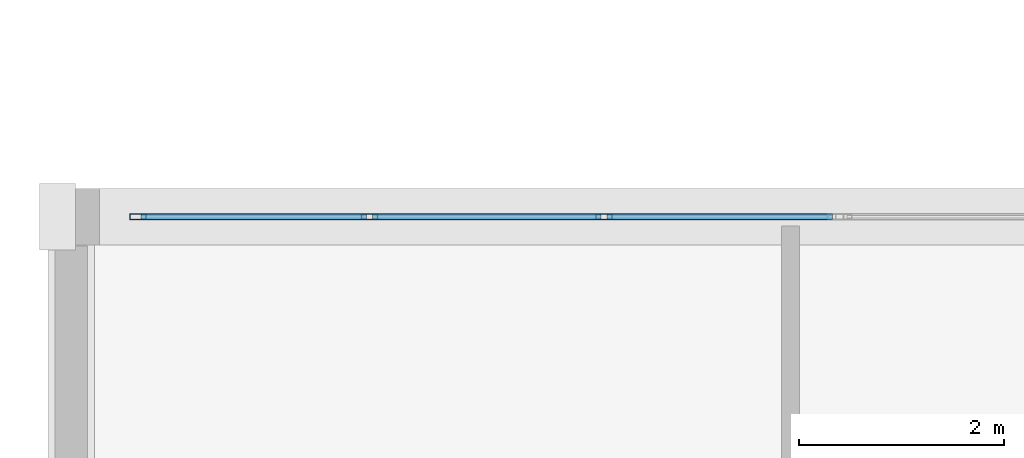
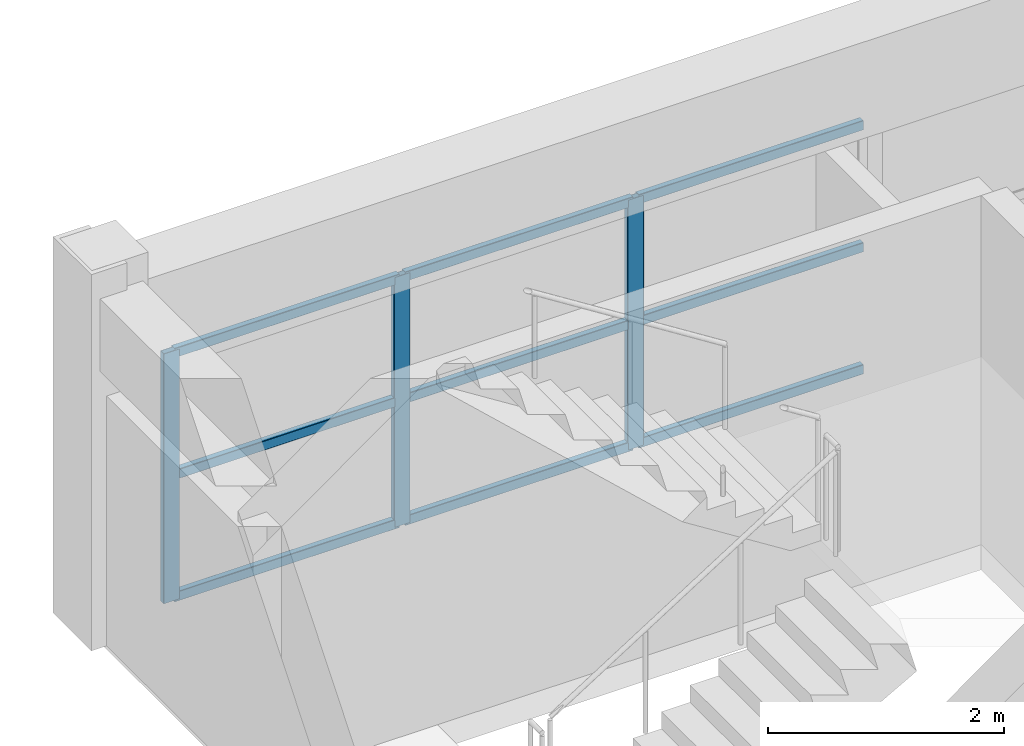
# One storey, part 24 of 101: 12 members, 1 element without a shape of its own.
"""IFC4 building model written with IfcOpenShell, lengths in metres."""

from ifc_helpers import new_model, si_unit, direction, frame, origin, origin_2d, place, context, subcontext, project, spatial, hollow_rectangle, extrude, material, material_profile, profile_set, type_object, element, aggregate, save


model = new_model("IFC4")

# Units and contexts
model_context = context("Model", 3, precision=1e-05, world=origin(), true_north=direction((0.0, 1.0)))
body_context = subcontext(model_context, "Body", "Model", "MODEL_VIEW")
ifc_project = project(units=[si_unit("LENGTHUNIT", "METRE"), si_unit("AREAUNIT", "SQUARE_METRE"), si_unit("VOLUMEUNIT", "CUBIC_METRE"), si_unit("PLANEANGLEUNIT", "RADIAN"), si_unit("MASSUNIT", "GRAM", prefix="KILO")], contexts=[model_context])

# Site, building, storey
site_placement = place(None, origin())
site = spatial("IfcSite", under=ifc_project, at=site_placement, CompositionType="ELEMENT")
building_placement = place(site_placement, origin())
building = spatial("IfcBuilding", under=site, at=building_placement, Name="Qasida Concert Hall", CompositionType="ELEMENT")
storey_placement = place(building_placement, frame((0.0, 0.0, 13.199951171875)))
storey = spatial("IfcBuildingStorey", under=building, at=storey_placement, Name="L03", CompositionType="ELEMENT", Elevation=13.199951171875)

# Curtain wall, members
ifc_material_1 = material(Name="Architectural bronze-anodized aluminium and low-E glass", Category="aluminium")
curtain_wall_type = type_object("IfcCurtainWallType", Name="CW-09", PredefinedType="NOTDEFINED", material=ifc_material_1)
curtain_wall_placement = place(storey_placement, origin())
curtain_wall = element("IfcCurtainWall", 1, at=curtain_wall_placement, inside=storey, type_object=curtain_wall_type, Name="L03 curtain wall CW-09 0118", PredefinedType="NOTDEFINED")
ifc_material_2 = material(Name="Architectural bronze-anodized aluminium EN AW-6063", Category="aluminium")
ifc_material_profile_1 = material_profile(ifc_material_2, hollow_rectangle(XDim=0.06005859375, YDim=0.159912109375, WallThickness=0.00390625, InnerFilletRadius=0.00390625, OuterFilletRadius=0.008056640625, at=origin_2d()), Name="CWM 160x60x4")
ifc_profile_set_1 = profile_set([ifc_material_profile_1], Name="Architectural bronze-anodized aluminium EN AW-6063")
member_type_1 = type_object("IfcMemberType", Name="MB-CWM-3", PredefinedType="MULLION", material=ifc_profile_set_1)
member_1_placement = place(storey_placement, frame((0.64990234375, 52.5, 0.0), z_axis=(0.0, 0.0, 1.0), x_axis=(0.0, 1.0, 0.0)))
member_1 = element("IfcMember", 2, at=member_1_placement, type_object=member_type_1, Name="CW-09 mullion 1", PredefinedType="MULLION", context=body_context, shape_type="SweptSolid", body=[
    extrude(hollow_rectangle(XDim=0.06005859375, YDim=0.159912109375, WallThickness=0.00390625, InnerFilletRadius=0.00390625, OuterFilletRadius=0.008056640625, at=origin_2d()), origin(), (0.0, 0.0, 1.0), 2.590087890625),
])
member_2_placement = place(storey_placement, frame((2.909912109375, 52.5, 0.0), z_axis=(0.0, 0.0, 1.0), x_axis=(0.0, 1.0, 0.0)))
member_2 = element("IfcMember", 3, at=member_2_placement, type_object=member_type_1, Name="CW-09 mullion 2", PredefinedType="MULLION", context=body_context, shape_type="SweptSolid", body=[
    extrude(hollow_rectangle(XDim=0.06005859375, YDim=0.159912109375, WallThickness=0.00390625, InnerFilletRadius=0.00390625, OuterFilletRadius=0.008056640625, at=origin_2d()), origin(), (0.0, 0.0, 1.0), 2.590087890625),
])
member_3_placement = place(storey_placement, frame((5.199951171875, 52.5, 0.0), z_axis=(0.0, 0.0, 1.0), x_axis=(0.0, 1.0, 0.0)))
member_3 = element("IfcMember", 4, at=member_3_placement, type_object=member_type_1, Name="CW-09 mullion 3", PredefinedType="MULLION", context=body_context, shape_type="SweptSolid", body=[
    extrude(hollow_rectangle(XDim=0.06005859375, YDim=0.159912109375, WallThickness=0.00390625, InnerFilletRadius=0.00390625, OuterFilletRadius=0.008056640625, at=origin_2d()), origin(), (0.0, 0.0, 1.0), 2.590087890625),
])
ifc_material_profile_2 = material_profile(ifc_material_2, hollow_rectangle(XDim=0.06005859375, YDim=0.10009765625, WallThickness=0.00341796875, InnerFilletRadius=0.00341796875, OuterFilletRadius=0.007080078125, at=origin_2d()), Name="CWT 100x60x3.5")
ifc_profile_set_2 = profile_set([ifc_material_profile_2], Name="Architectural bronze-anodized aluminium EN AW-6063")
member_type_2 = type_object("IfcMemberType", Name="MB-CWT-3", PredefinedType="USERDEFINED", material=ifc_profile_set_2)
member_4_placement = place(storey_placement, frame((0.679931640625, 52.5, 0.030029296875), z_axis=(1.0, 0.0, 0.0), x_axis=(0.0, 1.0, 0.0)))
member_4 = element("IfcMember", 5, at=member_4_placement, type_object=member_type_2, Name="CW-09 transom 1.1", ObjectType="TRANSOM", PredefinedType="USERDEFINED", context=body_context, shape_type="SweptSolid", body=[
    extrude(hollow_rectangle(XDim=0.06005859375, YDim=0.10009765625, WallThickness=0.00341796875, InnerFilletRadius=0.00341796875, OuterFilletRadius=0.007080078125, at=origin_2d()), origin(), (0.0, 0.0, 1.0), 2.199951171875),
])
member_5_placement = place(storey_placement, frame((0.679931640625, 52.5, 1.295166015625), z_axis=(1.0, 0.0, 0.0), x_axis=(0.0, 1.0, 0.0)))
member_5 = element("IfcMember", 6, at=member_5_placement, type_object=member_type_2, Name="CW-09 transom 1.2", ObjectType="TRANSOM", PredefinedType="USERDEFINED", context=body_context, shape_type="SweptSolid", body=[
    extrude(hollow_rectangle(XDim=0.06005859375, YDim=0.10009765625, WallThickness=0.00341796875, InnerFilletRadius=0.00341796875, OuterFilletRadius=0.007080078125, at=origin_2d()), origin(), (0.0, 0.0, 1.0), 2.199951171875),
])
member_6_placement = place(storey_placement, frame((0.679931640625, 52.5, 2.56005859375), z_axis=(1.0, 0.0, 0.0), x_axis=(0.0, 1.0, 0.0)))
member_6 = element("IfcMember", 7, at=member_6_placement, type_object=member_type_2, Name="CW-09 transom 1.3", ObjectType="TRANSOM", PredefinedType="USERDEFINED", context=body_context, shape_type="SweptSolid", body=[
    extrude(hollow_rectangle(XDim=0.06005859375, YDim=0.10009765625, WallThickness=0.00341796875, InnerFilletRadius=0.00341796875, OuterFilletRadius=0.007080078125, at=origin_2d()), origin(), (0.0, 0.0, 1.0), 2.199951171875),
])
member_7_placement = place(storey_placement, frame((2.93994140625, 52.5, 0.030029296875), z_axis=(1.0, 0.0, 0.0), x_axis=(0.0, 1.0, 0.0)))
member_7 = element("IfcMember", 8, at=member_7_placement, type_object=member_type_2, Name="CW-09 transom 2.1", ObjectType="TRANSOM", PredefinedType="USERDEFINED", context=body_context, shape_type="SweptSolid", body=[
    extrude(hollow_rectangle(XDim=0.06005859375, YDim=0.10009765625, WallThickness=0.00341796875, InnerFilletRadius=0.00341796875, OuterFilletRadius=0.007080078125, at=origin_2d()), origin(), (0.0, 0.0, 1.0), 2.22998046875),
])
member_8_placement = place(storey_placement, frame((2.93994140625, 52.5, 1.295166015625), z_axis=(1.0, 0.0, 0.0), x_axis=(0.0, 1.0, 0.0)))
member_8 = element("IfcMember", 9, at=member_8_placement, type_object=member_type_2, Name="CW-09 transom 2.2", ObjectType="TRANSOM", PredefinedType="USERDEFINED", context=body_context, shape_type="SweptSolid", body=[
    extrude(hollow_rectangle(XDim=0.06005859375, YDim=0.10009765625, WallThickness=0.00341796875, InnerFilletRadius=0.00341796875, OuterFilletRadius=0.007080078125, at=origin_2d()), origin(), (0.0, 0.0, 1.0), 2.22998046875),
])
member_9_placement = place(storey_placement, frame((2.93994140625, 52.5, 2.56005859375), z_axis=(1.0, 0.0, 0.0), x_axis=(0.0, 1.0, 0.0)))
member_9 = element("IfcMember", 10, at=member_9_placement, type_object=member_type_2, Name="CW-09 transom 2.3", ObjectType="TRANSOM", PredefinedType="USERDEFINED", context=body_context, shape_type="SweptSolid", body=[
    extrude(hollow_rectangle(XDim=0.06005859375, YDim=0.10009765625, WallThickness=0.00341796875, InnerFilletRadius=0.00341796875, OuterFilletRadius=0.007080078125, at=origin_2d()), origin(), (0.0, 0.0, 1.0), 2.22998046875),
])
member_10_placement = place(storey_placement, frame((5.22998046875, 52.5, 0.030029296875), z_axis=(1.0, 0.0, 0.0), x_axis=(0.0, 1.0, 0.0)))
member_10 = element("IfcMember", 11, at=member_10_placement, type_object=member_type_2, Name="CW-09 transom 3.1", ObjectType="TRANSOM", PredefinedType="USERDEFINED", context=body_context, shape_type="SweptSolid", body=[
    extrude(hollow_rectangle(XDim=0.06005859375, YDim=0.10009765625, WallThickness=0.00341796875, InnerFilletRadius=0.00341796875, OuterFilletRadius=0.007080078125, at=origin_2d()), origin(), (0.0, 0.0, 1.0), 2.199951171875),
])
member_11_placement = place(storey_placement, frame((5.22998046875, 52.5, 1.295166015625), z_axis=(1.0, 0.0, 0.0), x_axis=(0.0, 1.0, 0.0)))
member_11 = element("IfcMember", 12, at=member_11_placement, type_object=member_type_2, Name="CW-09 transom 3.2", ObjectType="TRANSOM", PredefinedType="USERDEFINED", context=body_context, shape_type="SweptSolid", body=[
    extrude(hollow_rectangle(XDim=0.06005859375, YDim=0.10009765625, WallThickness=0.00341796875, InnerFilletRadius=0.00341796875, OuterFilletRadius=0.007080078125, at=origin_2d()), origin(), (0.0, 0.0, 1.0), 2.199951171875),
])
member_12_placement = place(storey_placement, frame((5.22998046875, 52.5, 2.56005859375), z_axis=(1.0, 0.0, 0.0), x_axis=(0.0, 1.0, 0.0)))
member_12 = element("IfcMember", 13, at=member_12_placement, type_object=member_type_2, Name="CW-09 transom 3.3", ObjectType="TRANSOM", PredefinedType="USERDEFINED", context=body_context, shape_type="SweptSolid", body=[
    extrude(hollow_rectangle(XDim=0.06005859375, YDim=0.10009765625, WallThickness=0.00341796875, InnerFilletRadius=0.00341796875, OuterFilletRadius=0.007080078125, at=origin_2d()), origin(), (0.0, 0.0, 1.0), 2.199951171875),
])
aggregate(curtain_wall, [member_1, member_2, member_3, member_4, member_5, member_6, member_7, member_8, member_9, member_10, member_11, member_12])

save(model, "model.ifc")
